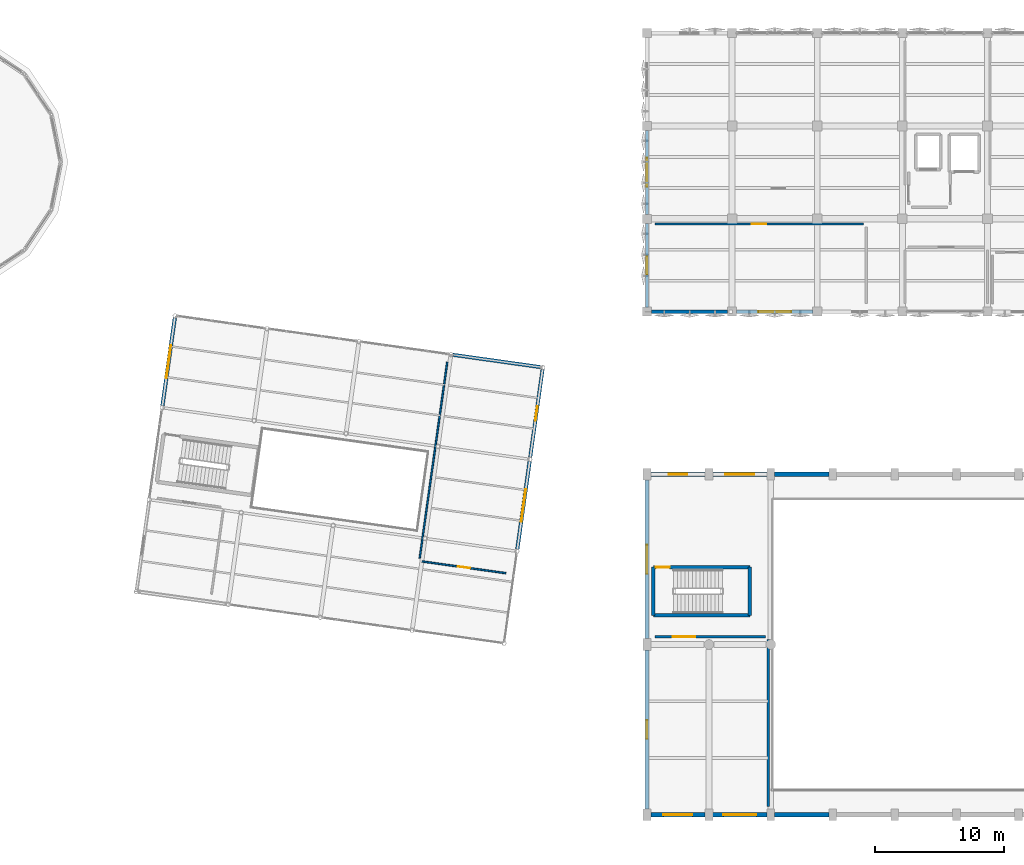
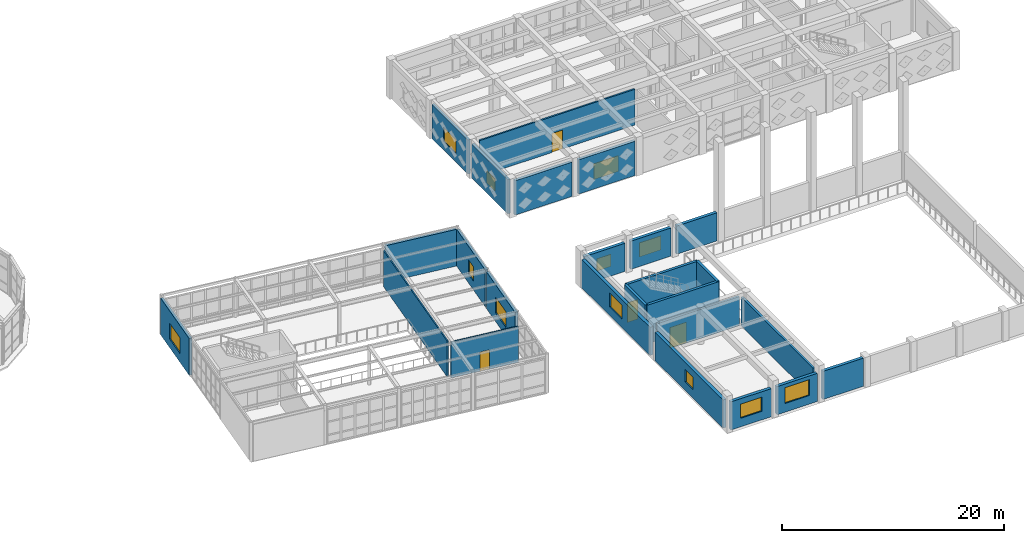
# One storey, part 69 of 80: 25 walls, 12 windows, 4 doors, 16 openings.
"""IFC4 building model written with IfcOpenShell, lengths in metres."""

from ifc_helpers import new_model, si_unit, direction, frame, frame_2d, origin, place, context, subcontext, project, spatial, rectangle, extrude, material, layer, layer_set, type_object, element, fill, save


model = new_model("IFC4")

# Units and contexts
model_context = context("Model", 3, precision=1e-05, world=origin(), true_north=direction((0.0, 1.0)))
body_context = subcontext(model_context, "Body", "Model", "MODEL_VIEW")
ifc_project = project(units=[si_unit("LENGTHUNIT", "METRE"), si_unit("AREAUNIT", "SQUARE_METRE"), si_unit("VOLUMEUNIT", "CUBIC_METRE"), si_unit("PLANEANGLEUNIT", "RADIAN"), si_unit("MASSUNIT", "GRAM", prefix="KILO")], contexts=[model_context])

# Site, building, storey
site_placement = place(None, origin())
site = spatial("IfcSite", under=ifc_project, at=site_placement, CompositionType="ELEMENT")
building_placement = place(site_placement, origin())
building = spatial("IfcBuilding", under=site, at=building_placement, Name="Kharisveld Research Institute", CompositionType="ELEMENT")
storey_placement = place(building_placement, frame((0.0, 0.0, 5.10009765625)))
storey = spatial("IfcBuildingStorey", under=building, at=storey_placement, Name="L01", CompositionType="ELEMENT", Elevation=5.10009765625)

# Wall
ifc_material_1 = material(Name="Acoustic Concrete Blockwork", Category="masonry")
ifc_layer_1 = layer(ifc_material_1, 0.215087890625)
ifc_layer_set_1 = layer_set([ifc_layer_1], Name="WL_AUD_215")
wall_type_1 = type_object("IfcWallType", Name="WL_AUD_215", PredefinedType="SOLIDWALL", material=ifc_layer_set_1)
wall_1_placement = place(storey_placement, frame((124.0, 0.820068359375, 0.0), z_axis=(0.0, 0.0, 1.0), x_axis=(0.0, 1.0, 0.0)))
element("IfcWall", 1, at=wall_1_placement, inside=storey, type_object=wall_type_1, Name="WL:RM:V5:L01:AUU:E", PredefinedType="SOLIDWALL", context=body_context, shape_type="SweptSolid", body=[
    extrude(rectangle(XDim=12.9599609375, YDim=0.215087890625, at=frame_2d((6.47998046875, 0.0))), origin(), (0.0, 0.0, 1.0), 3.199951171875),
])

# Wall, opening, door
wall_2_placement = place(storey_placement, frame((123.780029296875, 14.0, 0.0), z_axis=(0.0, 0.0, 1.0), x_axis=(-1.0, 0.0, 0.0)))
wall_2 = element("IfcWall", 2, at=wall_2_placement, inside=storey, type_object=wall_type_1, Name="WL:RM:V5:L01:AUU:N", PredefinedType="SOLIDWALL", context=body_context, shape_type="SweptSolid", body=[
    extrude(rectangle(XDim=8.56005859375, YDim=0.215087890625, at=frame_2d((4.280029296875, 0.0))), origin(), (0.0, 0.0, 1.0), 3.199951171875),
])
opening_1_placement = place(wall_2_placement, frame((5.43994140625, 0.0, 0.0)))
opening_1 = element("IfcOpeningElement", 3, at=opening_1_placement, cuts=wall_2, Name="Opening DI-307", PredefinedType="OPENING", context=body_context, shape_type="SweptSolid", body=[
    extrude(rectangle(XDim=1.760009765625, YDim=2.25, at=frame_2d((0.8798828125, 1.125))), frame((0.0, 0.107421875, 0.0), z_axis=(0.0, -1.0, 0.0), x_axis=(1.0, 0.0, 0.0)), (0.0, 0.0, 1.0), 0.215087890625),
])
ifc_material_2 = material(Name="Flush Painted Hardwood and Anodised Aluminium", Category="wood")
door_type_1 = type_object("IfcDoorType", Name="DR_AUD_176", OperationType="DOUBLE_DOOR_SINGLE_SWING", PredefinedType="DOOR", material=ifc_material_2)
door_1_placement = place(opening_1_placement, origin())
door_1 = element("IfcDoor", 4, at=door_1_placement, inside=storey, type_object=door_type_1, Name="DR:RM:V5:L01:AUU:N", OperationType="DOUBLE_DOOR_SINGLE_SWING", OverallHeight=2.25, OverallWidth=1.760009765625, PredefinedType="DOOR", context=body_context, shape_type="SweptSolid", body=[
    extrude(rectangle(XDim=1.760009765625, YDim=2.25, at=frame_2d((0.8798828125, 1.125))), frame((0.0, 0.02490234375, 0.0), z_axis=(0.0, -1.0, 0.0), x_axis=(1.0, 0.0, 0.0)), (0.0, 0.0, 1.0), 0.050048828125),
])
fill(opening_1, door_1)

# Wall
ifc_material_3 = material(Name="Concrete C40/50", Category="concrete")
ifc_layer_2 = layer(ifc_material_3, 0.27001953125)
ifc_layer_set_2 = layer_set([ifc_layer_2], Name="WL_CORE_270")
wall_type_2 = type_object("IfcWallType", Name="WL_CORE_270", PredefinedType="SHEAR", material=ifc_layer_set_2)
wall_3_placement = place(storey_placement, frame((115.10009765625, 15.64990234375, 0.0), z_axis=(0.0, 0.0, 1.0), x_axis=(0.0, 1.0, 0.0)))
element("IfcWall", 5, at=wall_3_placement, inside=storey, type_object=wall_type_2, Name="WL:STR:ST6:L01:W", PredefinedType="SHEAR", context=body_context, shape_type="SweptSolid", body=[
    extrude(rectangle(XDim=3.739990234375, YDim=0.27001953125, at=frame_2d((1.8701171875, 0.0))), origin(), (0.0, 0.0, 1.0), 4.27978515625),
])

# Wall, opening, door
wall_4_placement = place(storey_placement, frame((115.10009765625, 19.389892578125, 0.0), z_axis=(0.0, 0.0, 1.0), x_axis=(1.0, 0.0, 0.0)))
wall_4 = element("IfcWall", 6, at=wall_4_placement, inside=storey, type_object=wall_type_2, Name="WL:STR:ST6:L01:N", PredefinedType="SHEAR", context=body_context, shape_type="SweptSolid", body=[
    extrude(rectangle(XDim=7.469970703125, YDim=0.27001953125, at=frame_2d((3.73486328125, 0.0))), origin(), (0.0, 0.0, 1.0), 4.27978515625),
])
opening_2_placement = place(wall_4_placement, frame((0.179931640625, 0.0, 0.0)))
opening_2 = element("IfcOpeningElement", 7, at=opening_2_placement, cuts=wall_4, Name="Opening DS-047", PredefinedType="OPENING", context=body_context, shape_type="SweptSolid", body=[
    extrude(rectangle(XDim=1.080078125, YDim=2.14990234375, at=frame_2d((0.5400390625, 1.074951171875))), frame((0.0, 0.135009765625, 0.0), z_axis=(0.0, -1.0, 0.0), x_axis=(1.0, 0.0, 0.0)), (0.0, 0.0, 1.0), 0.27001953125),
])
ifc_material_4 = material(Name="Flush Painted Hardwood and Anodised Aluminium", Category="wood")
door_type_2 = type_object("IfcDoorType", Name="DR_FD60_108", OperationType="NOTDEFINED", PredefinedType="DOOR", material=ifc_material_4)
door_2_placement = place(opening_2_placement, origin())
door_2 = element("IfcDoor", 8, at=door_2_placement, inside=storey, type_object=door_type_2, Name="DR:STR:ST6:L01", OperationType="SINGLE_SWING_RIGHT", OverallHeight=2.14990234375, OverallWidth=1.080078125, PredefinedType="DOOR", context=body_context, shape_type="SweptSolid", body=[
    extrude(rectangle(XDim=1.080078125, YDim=2.14990234375, at=frame_2d((0.5400390625, 1.074951171875))), frame((0.0, 0.02490234375, 0.0), z_axis=(0.0, -1.0, 0.0), x_axis=(1.0, 0.0, 0.0)), (0.0, 0.0, 1.0), 0.050048828125),
])
fill(opening_2, door_2)

# Walls
wall_5_placement = place(storey_placement, frame((122.570068359375, 19.389892578125, 0.0), z_axis=(0.0, 0.0, 1.0), x_axis=(0.0, -1.0, 0.0)))
element("IfcWall", 9, at=wall_5_placement, inside=storey, type_object=wall_type_2, Name="WL:STR:ST6:L01:E", PredefinedType="SHEAR", context=body_context, shape_type="SweptSolid", body=[
    extrude(rectangle(XDim=3.739990234375, YDim=0.27001953125, at=frame_2d((1.8701171875, 0.0))), origin(), (0.0, 0.0, 1.0), 4.27978515625),
])
wall_6_placement = place(storey_placement, frame((122.570068359375, 15.64990234375, 0.0), z_axis=(0.0, 0.0, 1.0), x_axis=(-1.0, 0.0, 0.0)))
element("IfcWall", 10, at=wall_6_placement, inside=storey, type_object=wall_type_2, Name="WL:STR:ST6:L01:S", PredefinedType="SHEAR", context=body_context, shape_type="SweptSolid", body=[
    extrude(rectangle(XDim=7.469970703125, YDim=0.27001953125, at=frame_2d((3.73486328125, 0.0))), origin(), (0.0, 0.0, 1.0), 4.27978515625),
])

# Wall, opening, window
ifc_material_5 = material(Name="Lightweight Acoustic Spandrel", Category="mineral")
ifc_layer_3 = layer(ifc_material_5, 0.2451171875)
ifc_layer_set_3 = layer_set([ifc_layer_3], Name="WL_EXT_245")
wall_type_3 = type_object("IfcWallType", Name="WL_EXT_245", PredefinedType="STANDARD", material=ifc_layer_set_3)
wall_7_placement = place(storey_placement, frame((114.60009765625, 46.7451171875, 0.0), z_axis=(0.0, 0.0, 1.0), x_axis=(0.0, 1.0, 0.0)))
wall_7 = element("IfcWall", 11, at=wall_7_placement, inside=storey, type_object=wall_type_3, Name="WL:V2:L01:W1", PredefinedType="STANDARD", context=body_context, shape_type="SweptSolid", body=[
    extrude(rectangle(XDim=6.509765625, YDim=0.2451171875, at=frame_2d((3.2548828125, 0.0))), origin(), (0.0, 0.0, 1.0), 3.77490234375),
])
opening_3_placement = place(wall_7_placement, frame((2.1298828125, 0.0, 0.949951171875)))
opening_3 = element("IfcOpeningElement", 12, at=opening_3_placement, cuts=wall_7, Name="Opening WN-14", PredefinedType="OPENING", context=body_context, shape_type="SweptSolid", body=[
    extrude(rectangle(XDim=2.25, YDim=1.550048828125, at=frame_2d((1.125, 0.77490234375))), frame((0.0, 0.12255859375, 0.0), z_axis=(0.0, -1.0, 0.0), x_axis=(1.0, 0.0, 0.0)), (0.0, 0.0, 1.0), 0.2451171875),
])
ifc_material_6 = material(Name="Low-E Double Glazing", Category="glass")
window_type_1 = type_object("IfcWindowType", Name="WN_14", PartitioningType="DOUBLE_PANEL_VERTICAL", PredefinedType="WINDOW", material=ifc_material_6)
window_1_placement = place(opening_3_placement, origin())
window_1 = element("IfcWindow", 13, at=window_1_placement, inside=storey, type_object=window_type_1, Name="WN:V2:L01:W1", OverallHeight=1.550048828125, OverallWidth=2.25, PartitioningType="SINGLE_PANEL", PredefinedType="WINDOW", context=body_context, shape_type="SweptSolid", body=[
    extrude(rectangle(XDim=2.25, YDim=1.550048828125, at=frame_2d((1.125, 0.77490234375))), frame((0.0, 0.030029296875, 0.0), z_axis=(0.0, -1.0, 0.0), x_axis=(1.0, 0.0, 0.0)), (0.0, 0.0, 1.0), 0.06005859375),
])
fill(opening_3, window_1)

ifc_material_7 = material(Name="Precast Concrete C40/50 Thermal Wall", Category="concrete")
ifc_layer_4 = layer(ifc_material_7, 0.260009765625)
ifc_layer_set_4 = layer_set([ifc_layer_4], Name="WL_EXT_260")
wall_type_4 = type_object("IfcWallType", Name="WL_EXT_260", PredefinedType="STANDARD", material=ifc_layer_set_4)
wall_8_placement = place(storey_placement, frame((114.60009765625, 39.544921875, 0.0), z_axis=(0.0, 0.0, 1.0), x_axis=(0.0, 1.0, 0.0)))
wall_8 = element("IfcWall", 14, at=wall_8_placement, inside=storey, type_object=wall_type_4, Name="WL:V2:L01:W0", PredefinedType="STANDARD", context=body_context, shape_type="SweptSolid", body=[
    extrude(rectangle(XDim=6.510009765625, YDim=0.260009765625, at=frame_2d((3.2548828125, 0.0))), origin(), (0.0, 0.0, 1.0), 3.77490234375),
])
opening_4_placement = place(wall_8_placement, frame((2.530029296875, 0.0, 0.949951171875)))
opening_4 = element("IfcOpeningElement", 15, at=opening_4_placement, cuts=wall_8, Name="Opening WN-13", PredefinedType="OPENING", context=body_context, shape_type="SweptSolid", body=[
    extrude(rectangle(XDim=1.449951171875, YDim=1.35009765625, at=frame_2d((0.72509765625, 0.675048828125))), frame((0.0, 0.1298828125, 0.0), z_axis=(0.0, -1.0, 0.0), x_axis=(1.0, 0.0, 0.0)), (0.0, 0.0, 1.0), 0.260009765625),
])
ifc_material_8 = material(Name="Low-E Double Glazing", Category="glass")
window_type_2 = type_object("IfcWindowType", Name="WN_13", PartitioningType="DOUBLE_PANEL_VERTICAL", PredefinedType="WINDOW", material=ifc_material_8)
window_2_placement = place(opening_4_placement, origin())
window_2 = element("IfcWindow", 16, at=window_2_placement, inside=storey, type_object=window_type_2, Name="WN:V2:L01:W0", OverallHeight=1.35009765625, OverallWidth=1.449951171875, PartitioningType="SINGLE_PANEL", PredefinedType="WINDOW", context=body_context, shape_type="SweptSolid", body=[
    extrude(rectangle(XDim=1.449951171875, YDim=1.35009765625, at=frame_2d((0.72509765625, 0.675048828125))), frame((0.0, 0.030029296875, 0.0), z_axis=(0.0, -1.0, 0.0), x_axis=(1.0, 0.0, 0.0)), (0.0, 0.0, 1.0), 0.06005859375),
])
fill(opening_4, window_2)

# Wall
ifc_material_9 = material(Name="Precast Concrete C40/50 Thermal Wall", Category="concrete")
ifc_layer_5 = layer(ifc_material_9, 0.27490234375)
ifc_layer_set_5 = layer_set([ifc_layer_5], Name="WL_EXT_275")
wall_type_5 = type_object("IfcWallType", Name="WL_EXT_275", PredefinedType="STANDARD", material=ifc_layer_set_5)
wall_9_placement = place(storey_placement, frame((99.551513671875, 35.86181640625, 0.0), z_axis=(0.0, 0.0, 1.0), x_axis=(0.99026956155, -0.139162478664, 0.0)))
element("IfcWall", 17, at=wall_9_placement, inside=storey, type_object=wall_type_5, Name="WL:V4:L01:N3", PredefinedType="STANDARD", context=body_context, shape_type="SweptSolid", body=[
    extrude(rectangle(XDim=6.8857421875, YDim=0.27490234375, at=frame_2d((3.44287109375, 0.0))), origin(), (0.0, 0.0, 1.0), 4.044921875),
])

# Wall, opening, window
wall_10_placement = place(storey_placement, frame((106.50390625, 34.72607421875, 0.0), z_axis=(0.0, 0.0, 1.0), x_axis=(-0.139162478664, -0.99026956155, 0.0)))
wall_10 = element("IfcWall", 18, at=wall_10_placement, inside=storey, type_object=wall_type_5, Name="WL:V4:L01:E3", PredefinedType="STANDARD", context=body_context, shape_type="SweptSolid", body=[
    extrude(rectangle(XDim=6.8857421875, YDim=0.27490234375, at=frame_2d((3.44287109375, 0.0))), origin(), (0.0, 0.0, 1.0), 4.044921875),
])
opening_5_placement = place(wall_10_placement, frame((2.867919921875, 0.0, 0.949951171875)))
opening_5 = element("IfcOpeningElement", 19, at=opening_5_placement, cuts=wall_10, Name="Opening WN-16", PredefinedType="OPENING", context=body_context, shape_type="SweptSolid", body=[
    extrude(rectangle(XDim=1.14990234375, YDim=1.60009765625, at=frame_2d((0.574951171875, 0.800048828125))), frame((0.0, 0.137451171875, 0.0), z_axis=(0.0, -1.0, 0.0), x_axis=(1.0, 0.0, 0.0)), (0.0, 0.0, 1.0), 0.27490234375),
])
ifc_material_10 = material(Name="Low-E Double Glazing", Category="glass")
window_type_3 = type_object("IfcWindowType", Name="WN_16", PartitioningType="SINGLE_PANEL", PredefinedType="WINDOW", material=ifc_material_10)
window_3_placement = place(opening_5_placement, origin())
window_3 = element("IfcWindow", 20, at=window_3_placement, inside=storey, type_object=window_type_3, Name="WN:V4:L01:E3", OverallHeight=1.60009765625, OverallWidth=1.14990234375, PartitioningType="SINGLE_PANEL", PredefinedType="WINDOW", context=body_context, shape_type="SweptSolid", body=[
    extrude(rectangle(XDim=1.14990234375, YDim=1.60009765625, at=frame_2d((0.574951171875, 0.800048828125))), frame((0.0, 0.030029296875, 0.0), z_axis=(0.0, -1.0, 0.0), x_axis=(1.0, 0.0, 0.0)), (0.0, 0.0, 1.0), 0.06005859375),
])
fill(opening_5, window_3)

ifc_material_11 = material(Name="Precast Concrete C40/50 Thermal Wall", Category="concrete")
ifc_layer_6 = layer(ifc_material_11, 0.2900390625)
ifc_layer_set_6 = layer_set([ifc_layer_6], Name="WL_EXT_290")
wall_type_6 = type_object("IfcWallType", Name="WL_EXT_290", PredefinedType="STANDARD", material=ifc_layer_set_6)
wall_11_placement = place(storey_placement, frame((77.02587890625, 31.915283203125, 0.0), z_axis=(0.0, 0.0, 1.0), x_axis=(0.139192360124, 0.990265361852, 0.0)))
wall_11 = element("IfcWall", 21, at=wall_11_placement, inside=storey, type_object=wall_type_6, Name="WL:V4:L01:W2", PredefinedType="STANDARD", context=body_context, shape_type="SweptSolid", body=[
    extrude(rectangle(XDim=6.88623046875, YDim=0.2900390625, at=frame_2d((3.443115234375, 0.0))), origin(), (0.0, 0.0, 1.0), 4.044921875),
])
opening_6_placement = place(wall_11_placement, frame((2.16796875, 0.0, 0.949951171875)))
opening_6 = element("IfcOpeningElement", 22, at=opening_6_placement, cuts=wall_11, Name="Opening WN-15", PredefinedType="OPENING", context=body_context, shape_type="SweptSolid", body=[
    extrude(rectangle(XDim=2.550048828125, YDim=1.75, at=frame_2d((1.27490234375, 0.875))), frame((0.0, 0.14501953125, 0.0), z_axis=(0.0, -1.0, 0.0), x_axis=(1.0, 0.0, 0.0)), (0.0, 0.0, 1.0), 0.2900390625),
])
ifc_material_12 = material(Name="Low-E Double Glazing", Category="glass")
window_type_4 = type_object("IfcWindowType", Name="WN_15", PartitioningType="TRIPLE_PANEL_VERTICAL", PredefinedType="WINDOW", material=ifc_material_12)
window_4_placement = place(opening_6_placement, origin())
window_4 = element("IfcWindow", 23, at=window_4_placement, inside=storey, type_object=window_type_4, Name="WN:V4:L01:W2", OverallHeight=1.75, OverallWidth=2.550048828125, PartitioningType="SINGLE_PANEL", PredefinedType="WINDOW", context=body_context, shape_type="SweptSolid", body=[
    extrude(rectangle(XDim=2.550048828125, YDim=1.75, at=frame_2d((1.27490234375, 0.875))), frame((0.0, 0.030029296875, 0.0), z_axis=(0.0, -1.0, 0.0), x_axis=(1.0, 0.0, 0.0)), (0.0, 0.0, 1.0), 0.06005859375),
])
fill(opening_6, window_4)

wall_12_placement = place(storey_placement, frame((105.501953125, 27.59619140625, 0.0), z_axis=(0.0, 0.0, 1.0), x_axis=(-0.139157592782, -0.99027024815, 0.0)))
wall_12 = element("IfcWall", 24, at=wall_12_placement, inside=storey, type_object=wall_type_6, Name="WL:V4:L01:E2", PredefinedType="STANDARD", context=body_context, shape_type="SweptSolid", body=[
    extrude(rectangle(XDim=6.885986328125, YDim=0.2900390625, at=frame_2d((3.44287109375, 0.0))), origin(), (0.0, 0.0, 1.0), 4.044921875),
])
opening_7_placement = place(wall_12_placement, frame((2.16796875, 0.0, 0.949951171875)))
opening_7 = element("IfcOpeningElement", 25, at=opening_7_placement, cuts=wall_12, Name="Opening WN-15", PredefinedType="OPENING", context=body_context, shape_type="SweptSolid", body=[
    extrude(rectangle(XDim=2.550048828125, YDim=1.75, at=frame_2d((1.27490234375, 0.875))), frame((0.0, 0.14501953125, 0.0), z_axis=(0.0, -1.0, 0.0), x_axis=(1.0, 0.0, 0.0)), (0.0, 0.0, 1.0), 0.2900390625),
])
window_5_placement = place(opening_7_placement, origin())
window_5 = element("IfcWindow", 26, at=window_5_placement, inside=storey, type_object=window_type_4, Name="WN:V4:L01:E2", OverallHeight=1.75, OverallWidth=2.550048828125, PartitioningType="SINGLE_PANEL", PredefinedType="WINDOW", context=body_context, shape_type="SweptSolid", body=[
    extrude(rectangle(XDim=2.550048828125, YDim=1.75, at=frame_2d((1.27490234375, 0.875))), frame((0.0, 0.030029296875, 0.0), z_axis=(0.0, -1.0, 0.0), x_axis=(1.0, 0.0, 0.0)), (0.0, 0.0, 1.0), 0.06005859375),
])
fill(opening_7, window_5)

ifc_material_13 = material(Name="Precast Concrete C40/50 Ochre Panel", Category="concrete")
ifc_layer_7 = layer(ifc_material_13, 0.304931640625)
ifc_layer_set_7 = layer_set([ifc_layer_7], Name="WL_EXT_305")
wall_type_7 = type_object("IfcWallType", Name="WL_EXT_305", PredefinedType="STANDARD", material=ifc_layer_set_7)
wall_13_placement = place(storey_placement, frame((127.455078125, 39.199951171875, 0.0), z_axis=(0.0, 0.0, 1.0), x_axis=(-1.0, 0.0, 0.0)))
wall_13 = element("IfcWall", 27, at=wall_13_placement, inside=storey, type_object=wall_type_7, Name="WL:V2:L01:S2", PredefinedType="STANDARD", context=body_context, shape_type="SweptSolid", body=[
    extrude(rectangle(XDim=5.91015625, YDim=0.304931640625, at=frame_2d((2.955078125, 0.0))), origin(), (0.0, 0.0, 1.0), 3.77490234375),
])
opening_8_placement = place(wall_13_placement, frame((1.679931640625, 0.0, 0.949951171875)))
opening_8 = element("IfcOpeningElement", 28, at=opening_8_placement, cuts=wall_13, Name="Opening WN-15", PredefinedType="OPENING", context=body_context, shape_type="SweptSolid", body=[
    extrude(rectangle(XDim=2.550048828125, YDim=1.75, at=frame_2d((1.27490234375, 0.875))), frame((0.0, 0.15234375, 0.0), z_axis=(0.0, -1.0, 0.0), x_axis=(1.0, 0.0, 0.0)), (0.0, 0.0, 1.0), 0.304931640625),
])
window_6_placement = place(opening_8_placement, origin())
window_6 = element("IfcWindow", 29, at=window_6_placement, inside=storey, type_object=window_type_4, Name="WN:V2:L01:S2", OverallHeight=1.75, OverallWidth=2.550048828125, PartitioningType="SINGLE_PANEL", PredefinedType="WINDOW", context=body_context, shape_type="SweptSolid", body=[
    extrude(rectangle(XDim=2.550048828125, YDim=1.75, at=frame_2d((1.27490234375, 0.875))), frame((0.0, 0.030029296875, 0.0), z_axis=(0.0, -1.0, 0.0), x_axis=(1.0, 0.0, 0.0)), (0.0, 0.0, 1.0), 0.06005859375),
])
fill(opening_8, window_6)

# Wall
wall_14_placement = place(storey_placement, frame((120.85498046875, 39.199951171875, 0.0), z_axis=(0.0, 0.0, 1.0), x_axis=(-1.0, 0.0, 0.0)))
element("IfcWall", 30, at=wall_14_placement, inside=storey, type_object=wall_type_7, Name="WL:V2:L01:S1", PredefinedType="STANDARD", context=body_context, shape_type="SweptSolid", body=[
    extrude(rectangle(XDim=5.909912109375, YDim=0.304931640625, at=frame_2d((2.955078125, 0.0))), origin(), (0.0, 0.0, 1.0), 3.77490234375),
])

# Wall, opening, window
ifc_material_14 = material(Name="Precast Concrete C40/50 Ochre Panel", Category="concrete")
ifc_layer_8 = layer(ifc_material_14, 0.320068359375)
ifc_layer_set_8 = layer_set([ifc_layer_8], Name="WL_EXT_320")
wall_type_8 = type_object("IfcWallType", Name="WL_EXT_320", PredefinedType="SOLIDWALL", material=ifc_layer_set_8)
wall_15_placement = place(storey_placement, frame((114.60009765625, 0.64501953125, 0.0), z_axis=(0.0, 0.0, 1.0), x_axis=(0.0, 1.0, 0.0)))
wall_15 = element("IfcWall", 31, at=wall_15_placement, inside=storey, type_object=wall_type_8, Name="WL:V5:L01:W0", PredefinedType="SOLIDWALL", context=body_context, shape_type="SweptSolid", body=[
    extrude(rectangle(XDim=12.31005859375, YDim=0.320068359375, at=frame_2d((6.155029296875, 0.0))), origin(), (0.0, 0.0, 1.0), 3.099853515625),
])
opening_9_placement = place(wall_15_placement, frame((5.429931640625, 0.0, 0.949951171875)))
opening_9 = element("IfcOpeningElement", 32, at=opening_9_placement, cuts=wall_15, Name="Opening WN-13", PredefinedType="OPENING", context=body_context, shape_type="SweptSolid", body=[
    extrude(rectangle(XDim=1.449951171875, YDim=1.35009765625, at=frame_2d((0.72509765625, 0.675048828125))), frame((0.0, 0.16015625, 0.0), z_axis=(0.0, -1.0, 0.0), x_axis=(1.0, 0.0, 0.0)), (0.0, 0.0, 1.0), 0.320068359375),
])
window_7_placement = place(opening_9_placement, origin())
window_7 = element("IfcWindow", 33, at=window_7_placement, inside=storey, type_object=window_type_2, Name="WN:V5:L01:W0", OverallHeight=1.35009765625, OverallWidth=1.449951171875, PartitioningType="SINGLE_PANEL", PredefinedType="WINDOW", context=body_context, shape_type="SweptSolid", body=[
    extrude(rectangle(XDim=1.449951171875, YDim=1.35009765625, at=frame_2d((0.72509765625, 0.675048828125))), frame((0.0, 0.030029296875, 0.0), z_axis=(0.0, -1.0, 0.0), x_axis=(1.0, 0.0, 0.0)), (0.0, 0.0, 1.0), 0.06005859375),
])
fill(opening_9, window_7)

wall_16_placement = place(storey_placement, frame((114.60009765625, 13.844970703125, 0.0), z_axis=(0.0, 0.0, 1.0), x_axis=(0.0, 1.0, 0.0)))
wall_16 = element("IfcWall", 34, at=wall_16_placement, inside=storey, type_object=wall_type_8, Name="WL:V5:L01:W1", PredefinedType="SOLIDWALL", context=body_context, shape_type="SweptSolid", body=[
    extrude(rectangle(XDim=12.31005859375, YDim=0.320068359375, at=frame_2d((6.155029296875, 0.0))), origin(), (0.0, 0.0, 1.0), 3.099853515625),
])
opening_10_placement = place(wall_16_placement, frame((5.030029296875, 0.0, 0.949951171875)))
opening_10 = element("IfcOpeningElement", 35, at=opening_10_placement, cuts=wall_16, Name="Opening WN-14", PredefinedType="OPENING", context=body_context, shape_type="SweptSolid", body=[
    extrude(rectangle(XDim=2.25, YDim=1.550048828125, at=frame_2d((1.125, 0.77490234375))), frame((0.0, 0.16015625, 0.0), z_axis=(0.0, -1.0, 0.0), x_axis=(1.0, 0.0, 0.0)), (0.0, 0.0, 1.0), 0.320068359375),
])
window_8_placement = place(opening_10_placement, origin())
window_8 = element("IfcWindow", 36, at=window_8_placement, inside=storey, type_object=window_type_1, Name="WN:V5:L01:W1", OverallHeight=1.550048828125, OverallWidth=2.25, PartitioningType="SINGLE_PANEL", PredefinedType="WINDOW", context=body_context, shape_type="SweptSolid", body=[
    extrude(rectangle(XDim=2.25, YDim=1.550048828125, at=frame_2d((1.125, 0.77490234375))), frame((0.0, 0.030029296875, 0.0), z_axis=(0.0, -1.0, 0.0), x_axis=(1.0, 0.0, 0.0)), (0.0, 0.0, 1.0), 0.06005859375),
])
fill(opening_10, window_8)

wall_17_placement = place(storey_placement, frame((114.89501953125, 26.60009765625, 0.0), z_axis=(0.0, 0.0, 1.0), x_axis=(1.0, 0.0, 0.0)))
wall_17 = element("IfcWall", 37, at=wall_17_placement, inside=storey, type_object=wall_type_8, Name="WL:V5:L01:N0", PredefinedType="SOLIDWALL", context=body_context, shape_type="SweptSolid", body=[
    extrude(rectangle(XDim=4.2099609375, YDim=0.320068359375, at=frame_2d((2.10498046875, 0.0))), origin(), (0.0, 0.0, 1.0), 3.099853515625),
])
opening_11_placement = place(wall_17_placement, frame((1.3798828125, 0.0, 0.949951171875)))
opening_11 = element("IfcOpeningElement", 38, at=opening_11_placement, cuts=wall_17, Name="Opening WN-13", PredefinedType="OPENING", context=body_context, shape_type="SweptSolid", body=[
    extrude(rectangle(XDim=1.449951171875, YDim=1.35009765625, at=frame_2d((0.72509765625, 0.675048828125))), frame((0.0, 0.16015625, 0.0), z_axis=(0.0, -1.0, 0.0), x_axis=(1.0, 0.0, 0.0)), (0.0, 0.0, 1.0), 0.320068359375),
])
window_9_placement = place(opening_11_placement, origin())
window_9 = element("IfcWindow", 39, at=window_9_placement, inside=storey, type_object=window_type_2, Name="WN:V5:L01:N0", OverallHeight=1.35009765625, OverallWidth=1.449951171875, PartitioningType="SINGLE_PANEL", PredefinedType="WINDOW", context=body_context, shape_type="SweptSolid", body=[
    extrude(rectangle(XDim=1.449951171875, YDim=1.35009765625, at=frame_2d((0.72509765625, 0.675048828125))), frame((0.0, 0.030029296875, 0.0), z_axis=(0.0, -1.0, 0.0), x_axis=(1.0, 0.0, 0.0)), (0.0, 0.0, 1.0), 0.06005859375),
])
fill(opening_11, window_9)

wall_18_placement = place(storey_placement, frame((119.695068359375, 26.60009765625, 0.0), z_axis=(0.0, 0.0, 1.0), x_axis=(1.0, 0.0, 0.0)))
wall_18 = element("IfcWall", 40, at=wall_18_placement, inside=storey, type_object=wall_type_8, Name="WL:V5:L01:N1", PredefinedType="SOLIDWALL", context=body_context, shape_type="SweptSolid", body=[
    extrude(rectangle(XDim=4.2099609375, YDim=0.320068359375, at=frame_2d((2.10498046875, 0.0))), origin(), (0.0, 0.0, 1.0), 3.099853515625),
])
opening_12_placement = place(wall_18_placement, frame((0.97998046875, 0.0, 0.949951171875)))
opening_12 = element("IfcOpeningElement", 41, at=opening_12_placement, cuts=wall_18, Name="Opening WN-14", PredefinedType="OPENING", context=body_context, shape_type="SweptSolid", body=[
    extrude(rectangle(XDim=2.25, YDim=1.550048828125, at=frame_2d((1.125, 0.77490234375))), frame((0.0, 0.16015625, 0.0), z_axis=(0.0, -1.0, 0.0), x_axis=(1.0, 0.0, 0.0)), (0.0, 0.0, 1.0), 0.320068359375),
])
window_10_placement = place(opening_12_placement, origin())
window_10 = element("IfcWindow", 42, at=window_10_placement, inside=storey, type_object=window_type_1, Name="WN:V5:L01:N1", OverallHeight=1.550048828125, OverallWidth=2.25, PartitioningType="SINGLE_PANEL", PredefinedType="WINDOW", context=body_context, shape_type="SweptSolid", body=[
    extrude(rectangle(XDim=2.25, YDim=1.550048828125, at=frame_2d((1.125, 0.77490234375))), frame((0.0, 0.030029296875, 0.0), z_axis=(0.0, -1.0, 0.0), x_axis=(1.0, 0.0, 0.0)), (0.0, 0.0, 1.0), 0.06005859375),
])
fill(opening_12, window_10)

# Walls
for number, where, z_axis, x_axis, name in (
    (43, (124.4951171875, 26.60009765625, 0.0), (0.0, 0.0, 1.0), (1.0, 0.0, 0.0), "WL:V5:L01:N2"),
    (44, (128.705078125, 0.199951171875, 0.0), (0.0, 0.0, 1.0), (-1.0, 0.0, 0.0), "WL:V5:L01:S3"),
):
    element("IfcWall", number, at=place(storey_placement, frame(where, z_axis=z_axis, x_axis=x_axis)), inside=storey, type_object=wall_type_8, Name=name, PredefinedType="SOLIDWALL", context=body_context, shape_type="SweptSolid", body=[
        extrude(rectangle(XDim=4.2099609375, YDim=0.320068359375, at=frame_2d((2.10498046875, 0.0))), origin(), (0.0, 0.0, 1.0), 3.099853515625),
    ])

# Wall, opening, window
wall_19_placement = place(storey_placement, frame((123.905029296875, 0.199951171875, 0.0), z_axis=(0.0, 0.0, 1.0), x_axis=(-1.0, 0.0, 0.0)))
wall_19 = element("IfcWall", 45, at=wall_19_placement, inside=storey, type_object=wall_type_8, Name="WL:V5:L01:S2", PredefinedType="SOLIDWALL", context=body_context, shape_type="SweptSolid", body=[
    extrude(rectangle(XDim=4.2099609375, YDim=0.320068359375, at=frame_2d((2.10498046875, 0.0))), origin(), (0.0, 0.0, 1.0), 3.099853515625),
])
opening_13_placement = place(wall_19_placement, frame((0.830078125, 0.0, 0.949951171875)))
opening_13 = element("IfcOpeningElement", 46, at=opening_13_placement, cuts=wall_19, Name="Opening WN-15", PredefinedType="OPENING", context=body_context, shape_type="SweptSolid", body=[
    extrude(rectangle(XDim=2.550048828125, YDim=1.75, at=frame_2d((1.27490234375, 0.875))), frame((0.0, 0.16015625, 0.0), z_axis=(0.0, -1.0, 0.0), x_axis=(1.0, 0.0, 0.0)), (0.0, 0.0, 1.0), 0.320068359375),
])
window_11_placement = place(opening_13_placement, origin())
window_11 = element("IfcWindow", 47, at=window_11_placement, inside=storey, type_object=window_type_4, Name="WN:V5:L01:S2", OverallHeight=1.75, OverallWidth=2.550048828125, PartitioningType="SINGLE_PANEL", PredefinedType="WINDOW", context=body_context, shape_type="SweptSolid", body=[
    extrude(rectangle(XDim=2.550048828125, YDim=1.75, at=frame_2d((1.27490234375, 0.875))), frame((0.0, 0.030029296875, 0.0), z_axis=(0.0, -1.0, 0.0), x_axis=(1.0, 0.0, 0.0)), (0.0, 0.0, 1.0), 0.06005859375),
])
fill(opening_13, window_11)

wall_20_placement = place(storey_placement, frame((119.10498046875, 0.199951171875, 0.0), z_axis=(0.0, 0.0, 1.0), x_axis=(-1.0, 0.0, 0.0)))
wall_20 = element("IfcWall", 48, at=wall_20_placement, inside=storey, type_object=wall_type_8, Name="WL:V5:L01:S1", PredefinedType="SOLIDWALL", context=body_context, shape_type="SweptSolid", body=[
    extrude(rectangle(XDim=4.2099609375, YDim=0.320068359375, at=frame_2d((2.10498046875, 0.0))), origin(), (0.0, 0.0, 1.0), 3.099853515625),
])
opening_14_placement = place(wall_20_placement, frame((0.97998046875, 0.0, 0.949951171875)))
opening_14 = element("IfcOpeningElement", 49, at=opening_14_placement, cuts=wall_20, Name="Opening WN-14", PredefinedType="OPENING", context=body_context, shape_type="SweptSolid", body=[
    extrude(rectangle(XDim=2.25, YDim=1.550048828125, at=frame_2d((1.125, 0.77490234375))), frame((0.0, 0.16015625, 0.0), z_axis=(0.0, -1.0, 0.0), x_axis=(1.0, 0.0, 0.0)), (0.0, 0.0, 1.0), 0.320068359375),
])
window_12_placement = place(opening_14_placement, origin())
window_12 = element("IfcWindow", 50, at=window_12_placement, inside=storey, type_object=window_type_1, Name="WN:V5:L01:S1", OverallHeight=1.550048828125, OverallWidth=2.25, PartitioningType="SINGLE_PANEL", PredefinedType="WINDOW", context=body_context, shape_type="SweptSolid", body=[
    extrude(rectangle(XDim=2.25, YDim=1.550048828125, at=frame_2d((1.125, 0.77490234375))), frame((0.0, 0.030029296875, 0.0), z_axis=(0.0, -1.0, 0.0), x_axis=(1.0, 0.0, 0.0)), (0.0, 0.0, 1.0), 0.06005859375),
])
fill(opening_14, window_12)

# Wall, opening, door
ifc_material_15 = material(Name="Acoustic Drywall Partition", Category="mineral")
ifc_layer_9 = layer(ifc_material_15, 0.1650390625)
ifc_layer_set_9 = layer_set([ifc_layer_9], Name="WL_LAB_165")
wall_type_9 = type_object("IfcWallType", Name="WL_LAB_165", PredefinedType="PARTITIONING", material=ifc_layer_set_9)
wall_21_placement = place(storey_placement, frame((131.3798828125, 46.0, 0.0), z_axis=(0.0, 0.0, 1.0), x_axis=(-1.0, 0.0, 0.0)))
wall_21 = element("IfcWall", 51, at=wall_21_placement, inside=storey, type_object=wall_type_9, Name="WL:RM:V2:L01:WLC:N", PredefinedType="PARTITIONING", context=body_context, shape_type="SweptSolid", body=[
    extrude(rectangle(XDim=16.159912109375, YDim=0.1650390625, at=frame_2d((8.080078125, 0.0))), origin(), (0.0, 0.0, 1.0), 3.949951171875),
])
opening_15_placement = place(wall_21_placement, frame((7.52001953125, 0.0, 0.0)))
opening_15 = element("IfcOpeningElement", 52, at=opening_15_placement, cuts=wall_21, Name="Opening DI-200", PredefinedType="OPENING", context=body_context, shape_type="SweptSolid", body=[
    extrude(rectangle(XDim=1.1201171875, YDim=2.10009765625, at=frame_2d((0.56005859375, 1.050048828125))), frame((0.0, 0.08251953125, 0.0), z_axis=(0.0, -1.0, 0.0), x_axis=(1.0, 0.0, 0.0)), (0.0, 0.0, 1.0), 0.1650390625),
])
ifc_material_16 = material(Name="Flush Painted Hardwood and Anodised Aluminium", Category="wood")
door_type_3 = type_object("IfcDoorType", Name="DR_VAR_08", OperationType="NOTDEFINED", PredefinedType="DOOR", material=ifc_material_16)
door_3_placement = place(opening_15_placement, origin())
door_3 = element("IfcDoor", 53, at=door_3_placement, inside=storey, type_object=door_type_3, Name="DR:RM:V2:L01:WLC:N", OperationType="SINGLE_SWING_RIGHT", OverallHeight=2.10009765625, OverallWidth=1.1201171875, PredefinedType="DOOR", context=body_context, shape_type="SweptSolid", body=[
    extrude(rectangle(XDim=1.1201171875, YDim=2.10009765625, at=frame_2d((0.56005859375, 1.050048828125))), frame((0.0, 0.02490234375, 0.0), z_axis=(0.0, -1.0, 0.0), x_axis=(1.0, 0.0, 0.0)), (0.0, 0.0, 1.0), 0.050048828125),
])
fill(opening_15, door_3)

ifc_material_17 = material(Name="Insulated Stud Partition", Category="mineral")
ifc_layer_10 = layer(ifc_material_17, 0.125)
ifc_layer_set_10 = layer_set([ifc_layer_10], Name="WL_OFF_125")
wall_type_10 = type_object("IfcWallType", Name="WL_OFF_125", PredefinedType="PARTITIONING", material=ifc_layer_set_10)
wall_22_placement = place(storey_placement, frame((97.1611328125, 19.838623046875, 0.0), z_axis=(0.0, 0.0, 1.0), x_axis=(0.990265558002, -0.139190964632, 0.0)))
wall_22 = element("IfcWall", 54, at=wall_22_placement, inside=storey, type_object=wall_type_10, Name="WL:RM:V4:L01:EX1:S", PredefinedType="PARTITIONING", context=body_context, shape_type="SweptSolid", body=[
    extrude(rectangle(XDim=6.56005859375, YDim=0.125, at=frame_2d((3.280029296875, 0.0))), origin(), (0.0, 0.0, 1.0), 3.949951171875),
])
opening_16_placement = place(wall_22_placement, frame((2.81005859375, 0.0, 0.0)))
opening_16 = element("IfcOpeningElement", 55, at=opening_16_placement, cuts=wall_22, Name="Opening DI-306", PredefinedType="OPENING", context=body_context, shape_type="SweptSolid", body=[
    extrude(rectangle(XDim=0.93994140625, YDim=2.1201171875, at=frame_2d((0.469970703125, 1.06005859375))), frame((0.0, 0.0625, 0.0), z_axis=(0.0, -1.0, 0.0), x_axis=(1.0, 0.0, 0.0)), (0.0, 0.0, 1.0), 0.125),
])
ifc_material_18 = material(Name="Flush Painted Hardwood and Anodised Aluminium", Category="wood")
door_type_4 = type_object("IfcDoorType", Name="DR_OFF_094", OperationType="NOTDEFINED", PredefinedType="DOOR", material=ifc_material_18)
door_4_placement = place(opening_16_placement, origin())
door_4 = element("IfcDoor", 56, at=door_4_placement, inside=storey, type_object=door_type_4, Name="DR:RM:V4:L01:EX1:S", OperationType="SINGLE_SWING_LEFT", OverallHeight=2.1201171875, OverallWidth=0.93994140625, PredefinedType="DOOR", context=body_context, shape_type="SweptSolid", body=[
    extrude(rectangle(XDim=0.93994140625, YDim=2.1201171875, at=frame_2d((0.469970703125, 1.06005859375))), frame((0.0, 0.02490234375, 0.0), z_axis=(0.0, -1.0, 0.0), x_axis=(1.0, 0.0, 0.0)), (0.0, 0.0, 1.0), 0.050048828125),
])
fill(opening_16, door_4)

# Wall
wall_23_placement = place(storey_placement, frame((99.111572265625, 35.297607421875, 0.0), z_axis=(0.0, 0.0, 1.0), x_axis=(-0.139171298776, -0.99026832202, 0.0)))
element("IfcWall", 57, at=wall_23_placement, inside=storey, type_object=wall_type_10, Name="WL:RM:V4:L01:EX1:W", PredefinedType="PARTITIONING", context=body_context, shape_type="SweptSolid", body=[
    extrude(rectangle(XDim=15.360107421875, YDim=0.125, at=frame_2d((7.68017578125, 0.0))), origin(), (0.0, 0.0, 1.0), 3.949951171875),
])

save(model, "model.ifc")
